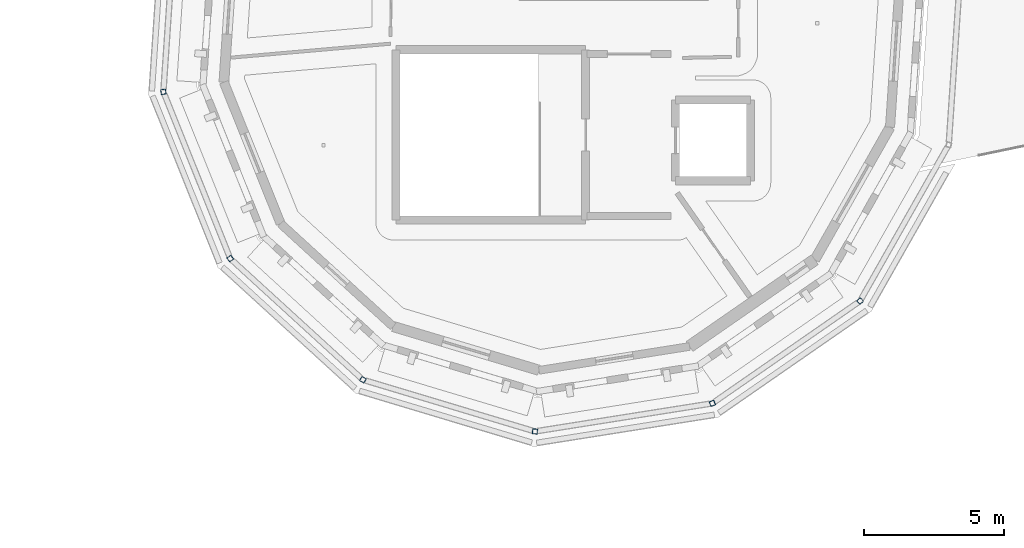
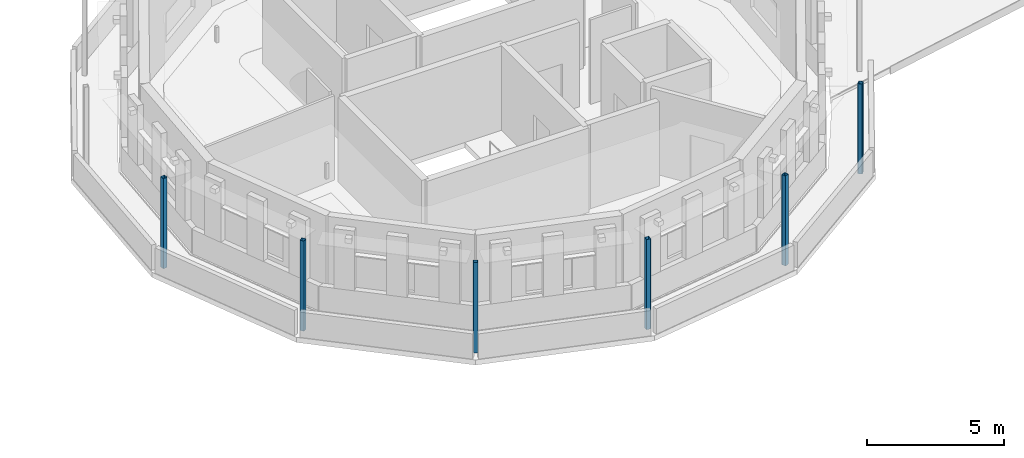
# One storey, part 3 of 51: 6 columns.
"""IFC4 building model written with IfcOpenShell, lengths in metres."""

from ifc_helpers import new_model, si_unit, direction, frame, origin, origin_2d, place, context, subcontext, project, spatial, hollow_rectangle, extrude, material, material_profile, profile_set, type_object, element, save


model = new_model("IFC4")

# Units and contexts
model_context = context("Model", 3, precision=1e-05, world=origin(), true_north=direction((0.0, 1.0)))
body_context = subcontext(model_context, "Body", "Model", "MODEL_VIEW")
ifc_project = project(units=[si_unit("LENGTHUNIT", "METRE"), si_unit("AREAUNIT", "SQUARE_METRE"), si_unit("VOLUMEUNIT", "CUBIC_METRE"), si_unit("PLANEANGLEUNIT", "RADIAN"), si_unit("MASSUNIT", "GRAM", prefix="KILO")], contexts=[model_context])

# Site, building, storey
site_placement = place(None, origin())
site = spatial("IfcSite", under=ifc_project, at=site_placement, CompositionType="ELEMENT")
building_placement = place(site_placement, origin())
building = spatial("IfcBuilding", under=site, at=building_placement, Name="Wrenclough Park School", CompositionType="ELEMENT")
storey_placement = place(building_placement, frame((0.0, 0.0, 16.800048828125)))
storey = spatial("IfcBuildingStorey", under=building, at=storey_placement, Name="L04", CompositionType="ELEMENT", Elevation=16.800048828125)

# Columns
ifc_material = material(Name="Structural steel S355", Category="steel")
ifc_material_profile = material_profile(ifc_material, hollow_rectangle(XDim=0.179931640625, YDim=0.179931640625, WallThickness=0.010009765625, InnerFilletRadius=0.010009765625, OuterFilletRadius=0.014892578125, at=origin_2d()), Name="SHS 180x180x10.0")
ifc_profile_set = profile_set([ifc_material_profile], Name="Structural steel S355")
column_type = type_object("IfcColumnType", Name="STR-COL-SHS180", PredefinedType="PILASTER", material=ifc_profile_set)
for number, where, z_axis, x_axis, name in (
    (1, (68.727783203125, 106.239501953125, 0.0), (0.0, 0.0, 1.0), (0.15643446504, -0.987688340595, 0.0), "D4 L04 column D4-OUT-08"),
    (2, (71.1220703125, 100.27099609375, 0.0), (0.0, 0.0, 1.0), (0.569423005964, -0.822044670489, 0.0), "D4 L04 column D4-OUT-09"),
    (3, (75.868896484375, 95.93212890625, 0.0), (0.0, 0.0, 1.0), (0.869753437661, -0.493486532416, 0.0), "D4 L04 column D4-OUT-10"),
    (4, (82.028076171875, 94.082763671875, 0.0), (0.0, 0.0, 1.0), (0.997731519333, -0.067318759124, 0.0), "D4 L04 column D4-OUT-11"),
    (5, (88.379638671875, 95.088623046875, 0.0), (0.0, 0.0, 1.0), (0.928096422365, 0.372339939832, 0.0), "D4 L04 column D4-OUT-12"),
    (6, (93.665771484375, 98.7509765625, 0.0), (0.0, 0.0, 1.0), (0.674688949446, 0.738102175512, 0.0), "D4 L04 column D4-OUT-13"),
):
    element("IfcColumn", number, at=place(storey_placement, frame(where, z_axis=z_axis, x_axis=x_axis)), inside=storey, type_object=column_type, Name=name, PredefinedType="PILASTER", context=body_context, shape_type="SweptSolid", body=[
        extrude(hollow_rectangle(XDim=0.179931640625, YDim=0.179931640625, WallThickness=0.010009765625, InnerFilletRadius=0.010009765625, OuterFilletRadius=0.014892578125, at=origin_2d()), origin(), (0.0, 0.0, 1.0), 4.0),
    ])

save(model, "model.ifc")
